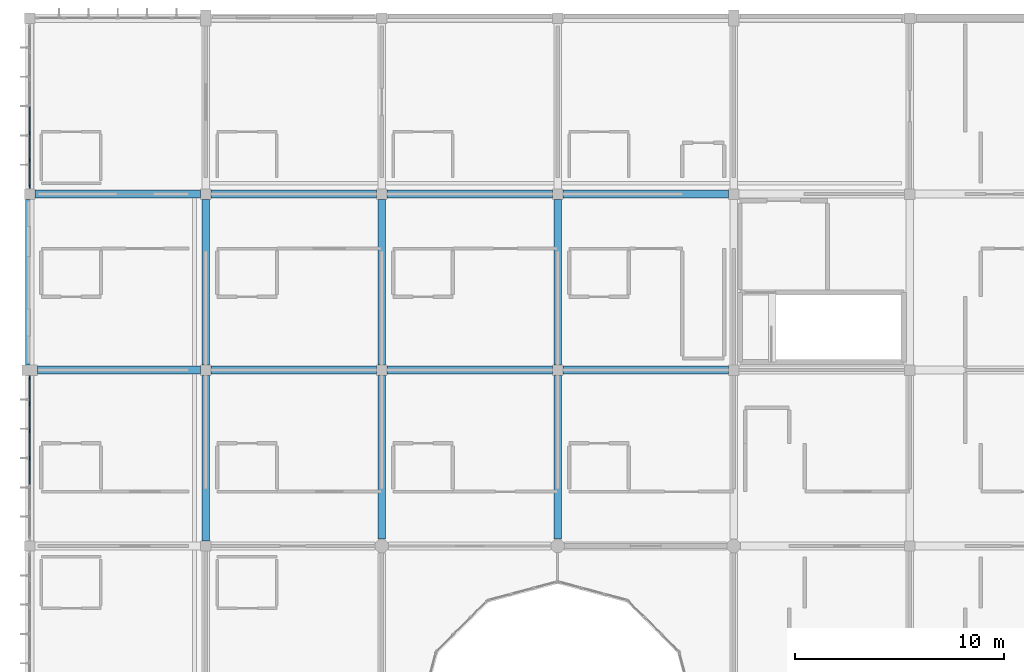
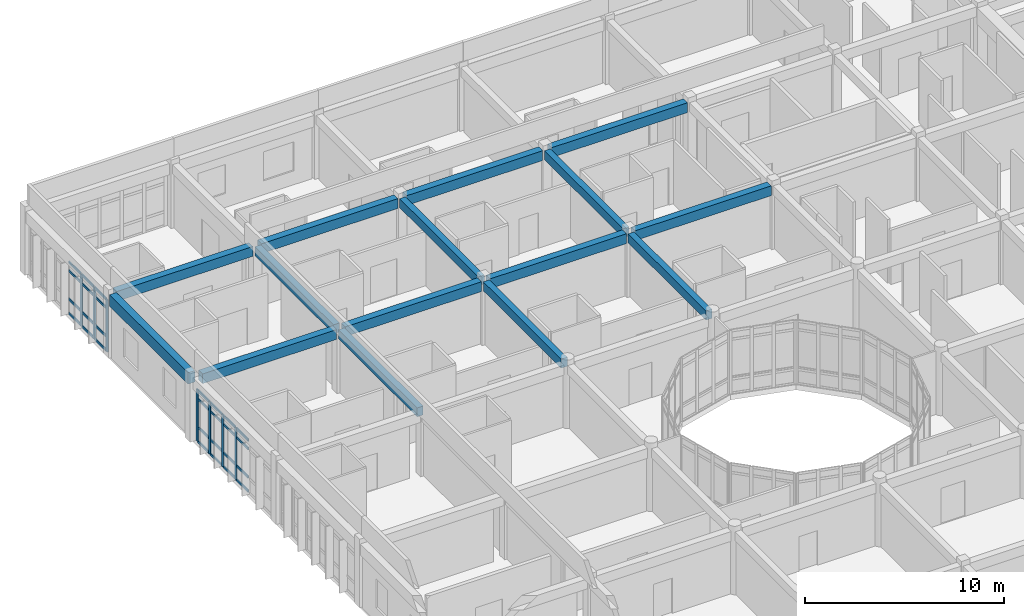
# One storey, part 27 of 119: 35 members, 15 beams, 2 elements without a shape of their own.
"""IFC4 building model written with IfcOpenShell, lengths in metres."""

from ifc_helpers import new_model, si_unit, direction, frame, origin, origin_2d, place, context, subcontext, project, spatial, rectangle, extrude, material, layer, layer_set, material_profile, profile_set, type_object, element, aggregate, save


model = new_model("IFC4")

# Units and contexts
model_context = context("Model", 3, precision=1e-05, world=origin(), true_north=direction((0.0, 1.0)))
body_context = subcontext(model_context, "Body", "Model", "MODEL_VIEW")
ifc_project = project(units=[si_unit("LENGTHUNIT", "METRE"), si_unit("AREAUNIT", "SQUARE_METRE"), si_unit("VOLUMEUNIT", "CUBIC_METRE"), si_unit("PLANEANGLEUNIT", "RADIAN"), si_unit("MASSUNIT", "GRAM", prefix="KILO")], contexts=[model_context])

# Site, building, storey
site_placement = place(None, origin())
site = spatial("IfcSite", under=ifc_project, at=site_placement, CompositionType="ELEMENT")
building_placement = place(site_placement, origin())
building = spatial("IfcBuilding", under=site, at=building_placement, Name="Bramfleet General Hospital", CompositionType="ELEMENT")
storey_placement = place(building_placement, frame((0.0, 0.0, 14.39990234375)))
storey = spatial("IfcBuildingStorey", under=building, at=storey_placement, Name="L03", CompositionType="ELEMENT", Elevation=14.39990234375)

# Beams
ifc_material_1 = material(Name="Concrete C35/45", Category="concrete")
ifc_material_profile_1 = material_profile(ifc_material_1, rectangle(XDim=0.35009765625, YDim=0.550048828125, at=origin_2d()), Name="RC BM 550x350")
ifc_profile_set_1 = profile_set([ifc_material_profile_1], Name="Concrete C35/45")
beam_type_1 = type_object("IfcBeamType", Name="BM-RC550", PredefinedType="BEAM", material=ifc_profile_set_1)
beam_1_placement = place(storey_placement, frame((8.39990234375, 92.64990234375, 3.614990234375), z_axis=(0.0, 1.0, 0.0), x_axis=(-1.0, 0.0, 0.0)))
element("IfcBeam", 1, at=beam_1_placement, inside=storey, type_object=beam_type_1, Name="L03 Grid Beam Y 01-11", PredefinedType="BEAM", context=body_context, shape_type="SweptSolid", body=[
    extrude(rectangle(XDim=0.35009765625, YDim=0.550048828125, at=origin_2d()), origin(), (0.0, 0.0, 1.0), 7.900146484375),
])
beam_2_placement = place(storey_placement, frame((8.39990234375, 101.050048828125, 3.614990234375), z_axis=(0.0, 1.0, 0.0), x_axis=(-1.0, 0.0, 0.0)))
element("IfcBeam", 2, at=beam_2_placement, inside=storey, type_object=beam_type_1, Name="L03 Grid Beam Y 01-12", PredefinedType="BEAM", context=body_context, shape_type="SweptSolid", body=[
    extrude(rectangle(XDim=0.35009765625, YDim=0.550048828125, at=origin_2d()), origin(), (0.0, 0.0, 1.0), 7.89990234375),
])
beam_3_placement = place(storey_placement, frame((16.800048828125, 92.72509765625, 3.614990234375), z_axis=(0.0, 1.0, 0.0), x_axis=(-1.0, 0.0, 0.0)))
element("IfcBeam", 3, at=beam_3_placement, inside=storey, type_object=beam_type_1, Name="L03 Grid Beam Y 02-11", PredefinedType="BEAM", context=body_context, shape_type="SweptSolid", body=[
    extrude(rectangle(XDim=0.35009765625, YDim=0.550048828125, at=origin_2d()), origin(), (0.0, 0.0, 1.0), 7.824951171875),
])
beam_4_placement = place(storey_placement, frame((16.800048828125, 101.050048828125, 3.614990234375), z_axis=(0.0, 1.0, 0.0), x_axis=(-1.0, 0.0, 0.0)))
element("IfcBeam", 4, at=beam_4_placement, inside=storey, type_object=beam_type_1, Name="L03 Grid Beam Y 02-12", PredefinedType="BEAM", context=body_context, shape_type="SweptSolid", body=[
    extrude(rectangle(XDim=0.35009765625, YDim=0.550048828125, at=origin_2d()), origin(), (0.0, 0.0, 1.0), 7.89990234375),
])
beam_5_placement = place(storey_placement, frame((25.199951171875, 92.72509765625, 3.614990234375), z_axis=(0.0, 1.0, 0.0), x_axis=(-1.0, 0.0, 0.0)))
element("IfcBeam", 5, at=beam_5_placement, inside=storey, type_object=beam_type_1, Name="L03 Grid Beam Y 03-11", PredefinedType="BEAM", context=body_context, shape_type="SweptSolid", body=[
    extrude(rectangle(XDim=0.35009765625, YDim=0.550048828125, at=origin_2d()), origin(), (0.0, 0.0, 1.0), 7.824951171875),
])
beam_6_placement = place(storey_placement, frame((25.199951171875, 101.050048828125, 3.614990234375), z_axis=(0.0, 1.0, 0.0), x_axis=(-1.0, 0.0, 0.0)))
element("IfcBeam", 6, at=beam_6_placement, inside=storey, type_object=beam_type_1, Name="L03 Grid Beam Y 03-12", PredefinedType="BEAM", context=body_context, shape_type="SweptSolid", body=[
    extrude(rectangle(XDim=0.35009765625, YDim=0.550048828125, at=origin_2d()), origin(), (0.0, 0.0, 1.0), 7.89990234375),
])
ifc_material_profile_2 = material_profile(ifc_material_1, rectangle(XDim=0.39990234375, YDim=0.60009765625, at=origin_2d()), Name="RC BM 600x400")
ifc_profile_set_2 = profile_set([ifc_material_profile_2], Name="Concrete C35/45")
beam_type_2 = type_object("IfcBeamType", Name="BM-RC600", PredefinedType="BEAM", material=ifc_profile_set_2)
beam_7_placement = place(storey_placement, frame((0.375, 100.800048828125, 3.60009765625), z_axis=(1.0, 0.0, 0.0), x_axis=(0.0, 1.0, 0.0)))
element("IfcBeam", 7, at=beam_7_placement, inside=storey, type_object=beam_type_2, Name="L03 Grid Beam X 00-12", PredefinedType="BEAM", context=body_context, shape_type="SweptSolid", body=[
    extrude(rectangle(XDim=0.39990234375, YDim=0.60009765625, at=origin_2d()), origin(), (0.0, 0.0, 1.0), 7.77490234375),
])
beam_8_placement = place(storey_placement, frame((0.25, 109.199951171875, 3.60009765625), z_axis=(1.0, 0.0, 0.0), x_axis=(0.0, 1.0, 0.0)))
element("IfcBeam", 8, at=beam_8_placement, inside=storey, type_object=beam_type_2, Name="L03 Grid Beam X 00-13", PredefinedType="BEAM", context=body_context, shape_type="SweptSolid", body=[
    extrude(rectangle(XDim=0.39990234375, YDim=0.60009765625, at=origin_2d()), origin(), (0.0, 0.0, 1.0), 7.89990234375),
])
for number, where, z_axis, x_axis, name in (
    (9, (8.64990234375, 100.800048828125, 3.590087890625), (1.0, 0.0, 0.0), (0.0, 1.0, 0.0), "L03 Grid Beam X 01-12"),
    (10, (8.64990234375, 109.199951171875, 3.590087890625), (1.0, 0.0, 0.0), (0.0, 1.0, 0.0), "L03 Grid Beam X 01-13"),
):
    element("IfcBeam", number, at=place(storey_placement, frame(where, z_axis=z_axis, x_axis=x_axis)), inside=storey, type_object=beam_type_2, Name=name, PredefinedType="BEAM", context=body_context, shape_type="SweptSolid", body=[
        extrude(rectangle(XDim=0.39990234375, YDim=0.60009765625, at=origin_2d()), origin(), (0.0, 0.0, 1.0), 7.900146484375),
    ])
for number, where, z_axis, x_axis, name in (
    (11, (17.050048828125, 100.800048828125, 3.590087890625), (1.0, 0.0, 0.0), (0.0, 1.0, 0.0), "L03 Grid Beam X 02-12"),
    (12, (17.050048828125, 109.199951171875, 3.590087890625), (1.0, 0.0, 0.0), (0.0, 1.0, 0.0), "L03 Grid Beam X 02-13"),
):
    element("IfcBeam", number, at=place(storey_placement, frame(where, z_axis=z_axis, x_axis=x_axis)), inside=storey, type_object=beam_type_2, Name=name, PredefinedType="BEAM", context=body_context, shape_type="SweptSolid", body=[
        extrude(rectangle(XDim=0.39990234375, YDim=0.60009765625, at=origin_2d()), origin(), (0.0, 0.0, 1.0), 7.89990234375),
    ])
for number, where, z_axis, x_axis, name in (
    (13, (25.449951171875, 100.800048828125, 3.590087890625), (1.0, 0.0, 0.0), (0.0, 1.0, 0.0), "L03 Grid Beam X 03-12"),
    (14, (25.449951171875, 109.199951171875, 3.590087890625), (1.0, 0.0, 0.0), (0.0, 1.0, 0.0), "L03 Grid Beam X 03-13"),
):
    element("IfcBeam", number, at=place(storey_placement, frame(where, z_axis=z_axis, x_axis=x_axis)), inside=storey, type_object=beam_type_2, Name=name, PredefinedType="BEAM", context=body_context, shape_type="SweptSolid", body=[
        extrude(rectangle(XDim=0.39990234375, YDim=0.60009765625, at=origin_2d()), origin(), (0.0, 0.0, 1.0), 7.900146484375),
    ])
ifc_material_profile_3 = material_profile(ifc_material_1, rectangle(XDim=0.39990234375, YDim=0.699951171875, at=origin_2d()), Name="RC SP 700x400")
ifc_profile_set_3 = profile_set([ifc_material_profile_3], Name="Concrete C35/45")
beam_type_3 = type_object("IfcBeamType", Name="BM-SP700", PredefinedType="SPANDREL", material=ifc_profile_set_3)
beam_9_placement = place(storey_placement, frame((0.0, 101.050048828125, 3.550048828125), z_axis=(0.0, 1.0, 0.0), x_axis=(-1.0, 0.0, 0.0)))
element("IfcBeam", 15, at=beam_9_placement, inside=storey, type_object=beam_type_3, Name="L03 Grid Beam Y 00-12", PredefinedType="SPANDREL", context=body_context, shape_type="SweptSolid", body=[
    extrude(rectangle(XDim=0.39990234375, YDim=0.699951171875, at=origin_2d()), origin(), (0.0, 0.0, 1.0), 7.89990234375),
])

# Curtain wall, members
ifc_material_2 = material(Name="Anodised aluminium and low-E triple glazing", Category="aluminium")
ifc_layer_1 = layer(ifc_material_2, 0.179931640625, Name="CWT-CW-18")
ifc_layer_set_1 = layer_set([ifc_layer_1], Name="Anodised aluminium and low-E triple glazing")
curtain_wall_type_1 = type_object("IfcCurtainWallType", Name="CWT-CW-18", PredefinedType="USERDEFINED", material=ifc_layer_set_1)
curtain_wall_1_placement = place(storey_placement, origin())
curtain_wall_1 = element("IfcCurtainWall", 16, at=curtain_wall_1_placement, inside=storey, type_object=curtain_wall_type_1, Name="L03 Curtain Wall 144", ObjectType="Stick curtain wall", PredefinedType="USERDEFINED")
ifc_material_3 = material(Name="Structural timber GL28h", Category="wood")
ifc_material_profile_4 = material_profile(ifc_material_3, rectangle(XDim=0.070068359375, YDim=0.18994140625, at=origin_2d()), Name="LARCH 190x70")
ifc_profile_set_4 = profile_set([ifc_material_profile_4], Name="Structural timber GL28h")
member_type_1 = type_object("IfcMemberType", Name="CWM-LARCH450", PredefinedType="MULLION", material=ifc_profile_set_4)
member_1_placement = place(storey_placement, frame((0.0, 96.60009765625, 0.0), z_axis=(0.0, 0.0, 1.0), x_axis=(-1.0, 0.0, 0.0)))
member_1 = element("IfcMember", 17, at=member_1_placement, type_object=member_type_1, Name="CW-18 mullion 4", PredefinedType="MULLION", context=body_context, shape_type="SweptSolid", body=[
    extrude(rectangle(XDim=0.070068359375, YDim=0.18994140625, at=origin_2d()), origin(), (0.0, 0.0, 1.0), 3.190185546875),
])
member_2_placement = place(storey_placement, frame((0.0, 97.8916015625, 0.0), z_axis=(0.0, 0.0, 1.0), x_axis=(-1.0, 0.0, 0.0)))
member_2 = element("IfcMember", 18, at=member_2_placement, type_object=member_type_1, Name="CW-18 mullion 5", PredefinedType="MULLION", context=body_context, shape_type="SweptSolid", body=[
    extrude(rectangle(XDim=0.070068359375, YDim=0.18994140625, at=origin_2d()), origin(), (0.0, 0.0, 1.0), 3.190185546875),
])
member_3_placement = place(storey_placement, frame((0.0, 99.183349609375, 0.0), z_axis=(0.0, 0.0, 1.0), x_axis=(-1.0, 0.0, 0.0)))
member_3 = element("IfcMember", 19, at=member_3_placement, type_object=member_type_1, Name="CW-18 mullion 6", PredefinedType="MULLION", context=body_context, shape_type="SweptSolid", body=[
    extrude(rectangle(XDim=0.070068359375, YDim=0.18994140625, at=origin_2d()), origin(), (0.0, 0.0, 1.0), 3.190185546875),
])
member_4_placement = place(storey_placement, frame((0.0, 100.43994140625, 0.0), z_axis=(0.0, 0.0, 1.0), x_axis=(-1.0, 0.0, 0.0)))
member_4 = element("IfcMember", 20, at=member_4_placement, type_object=member_type_1, Name="CW-18 mullion 7", PredefinedType="MULLION", context=body_context, shape_type="SweptSolid", body=[
    extrude(rectangle(XDim=0.070068359375, YDim=0.18994140625, at=origin_2d()), origin(), (0.0, 0.0, 1.0), 3.190185546875),
])

ifc_layer_2 = layer(ifc_material_2, 0.179931640625, Name="CWT-CW-01")
ifc_layer_set_2 = layer_set([ifc_layer_2], Name="Anodised aluminium and low-E triple glazing")
curtain_wall_type_2 = type_object("IfcCurtainWallType", Name="CWT-CW-01", PredefinedType="USERDEFINED", material=ifc_layer_set_2)
curtain_wall_2_placement = place(storey_placement, origin())
curtain_wall_2 = element("IfcCurtainWall", 21, at=curtain_wall_2_placement, inside=storey, type_object=curtain_wall_type_2, Name="L03 Curtain Wall 145", ObjectType="Unitised curtain wall", PredefinedType="USERDEFINED")
member_5_placement = place(storey_placement, frame((0.0, 109.56005859375, 0.0), z_axis=(0.0, 0.0, 1.0), x_axis=(-1.0, 0.0, 0.0)))
member_5 = element("IfcMember", 22, at=member_5_placement, type_object=member_type_1, Name="CW-01 mullion 1", PredefinedType="MULLION", context=body_context, shape_type="SweptSolid", body=[
    extrude(rectangle(XDim=0.070068359375, YDim=0.18994140625, at=origin_2d()), origin(), (0.0, 0.0, 1.0), 3.190185546875),
])
member_6_placement = place(storey_placement, frame((0.0, 110.816650390625, 0.0), z_axis=(0.0, 0.0, 1.0), x_axis=(-1.0, 0.0, 0.0)))
member_6 = element("IfcMember", 23, at=member_6_placement, type_object=member_type_1, Name="CW-01 mullion 2", PredefinedType="MULLION", context=body_context, shape_type="SweptSolid", body=[
    extrude(rectangle(XDim=0.070068359375, YDim=0.18994140625, at=origin_2d()), origin(), (0.0, 0.0, 1.0), 3.190185546875),
])
member_7_placement = place(storey_placement, frame((0.0, 112.1083984375, 0.0), z_axis=(0.0, 0.0, 1.0), x_axis=(-1.0, 0.0, 0.0)))
member_7 = element("IfcMember", 24, at=member_7_placement, type_object=member_type_1, Name="CW-01 mullion 3", PredefinedType="MULLION", context=body_context, shape_type="SweptSolid", body=[
    extrude(rectangle(XDim=0.070068359375, YDim=0.18994140625, at=origin_2d()), origin(), (0.0, 0.0, 1.0), 3.190185546875),
])

# Member
ifc_material_profile_5 = material_profile(ifc_material_3, rectangle(XDim=0.06494140625, YDim=0.14990234375, at=origin_2d()), Name="LARCH 150x65")
ifc_profile_set_5 = profile_set([ifc_material_profile_5], Name="Structural timber GL28h")
member_type_2 = type_object("IfcMemberType", Name="CWT-LARCH220", PredefinedType="USERDEFINED", material=ifc_profile_set_5)
member_8_placement = place(storey_placement, frame((0.0, 95.34326171875, 0.03271484375), z_axis=(0.0, 1.0, 0.0), x_axis=(-1.0, 0.0, 0.0)))
member_8 = element("IfcMember", 25, at=member_8_placement, type_object=member_type_2, Name="CW-18 transom 3.1", ObjectType="TRANSOM", PredefinedType="USERDEFINED", context=body_context, shape_type="SweptSolid", body=[
    extrude(rectangle(XDim=0.06494140625, YDim=0.14990234375, at=origin_2d()), origin(), (0.0, 0.0, 1.0), 1.2216796875),
])

member_9_placement = place(storey_placement, frame((0.0, 95.34326171875, 0.900146484375), z_axis=(0.0, 1.0, 0.0), x_axis=(-1.0, 0.0, 0.0)))
member_9 = element("IfcMember", 26, at=member_9_placement, type_object=member_type_2, Name="CW-18 transom 3.2", ObjectType="TRANSOM", PredefinedType="USERDEFINED", context=body_context, shape_type="SweptSolid", body=[
    extrude(rectangle(XDim=0.06494140625, YDim=0.14990234375, at=origin_2d()), origin(), (0.0, 0.0, 1.0), 1.2216796875),
])

member_10_placement = place(storey_placement, frame((0.0, 95.34326171875, 2.64013671875), z_axis=(0.0, 1.0, 0.0), x_axis=(-1.0, 0.0, 0.0)))
member_10 = element("IfcMember", 27, at=member_10_placement, type_object=member_type_2, Name="CW-18 transom 3.3", ObjectType="TRANSOM", PredefinedType="USERDEFINED", context=body_context, shape_type="SweptSolid", body=[
    extrude(rectangle(XDim=0.06494140625, YDim=0.14990234375, at=origin_2d()), origin(), (0.0, 0.0, 1.0), 1.2216796875),
])

member_11_placement = place(storey_placement, frame((0.0, 95.34326171875, 3.15771484375), z_axis=(0.0, 1.0, 0.0), x_axis=(-1.0, 0.0, 0.0)))
member_11 = element("IfcMember", 28, at=member_11_placement, type_object=member_type_2, Name="CW-18 transom 3.4", ObjectType="TRANSOM", PredefinedType="USERDEFINED", context=body_context, shape_type="SweptSolid", body=[
    extrude(rectangle(XDim=0.06494140625, YDim=0.14990234375, at=origin_2d()), origin(), (0.0, 0.0, 1.0), 1.2216796875),
])

member_12_placement = place(storey_placement, frame((0.0, 96.635009765625, 0.03271484375), z_axis=(0.0, 1.0, 0.0), x_axis=(-1.0, 0.0, 0.0)))
member_12 = element("IfcMember", 29, at=member_12_placement, type_object=member_type_2, Name="CW-18 transom 4.1", ObjectType="TRANSOM", PredefinedType="USERDEFINED", context=body_context, shape_type="SweptSolid", body=[
    extrude(rectangle(XDim=0.06494140625, YDim=0.14990234375, at=origin_2d()), origin(), (0.0, 0.0, 1.0), 1.2216796875),
])

member_13_placement = place(storey_placement, frame((0.0, 96.635009765625, 0.900146484375), z_axis=(0.0, 1.0, 0.0), x_axis=(-1.0, 0.0, 0.0)))
member_13 = element("IfcMember", 30, at=member_13_placement, type_object=member_type_2, Name="CW-18 transom 4.2", ObjectType="TRANSOM", PredefinedType="USERDEFINED", context=body_context, shape_type="SweptSolid", body=[
    extrude(rectangle(XDim=0.06494140625, YDim=0.14990234375, at=origin_2d()), origin(), (0.0, 0.0, 1.0), 1.2216796875),
])

member_14_placement = place(storey_placement, frame((0.0, 96.635009765625, 2.64013671875), z_axis=(0.0, 1.0, 0.0), x_axis=(-1.0, 0.0, 0.0)))
member_14 = element("IfcMember", 31, at=member_14_placement, type_object=member_type_2, Name="CW-18 transom 4.3", ObjectType="TRANSOM", PredefinedType="USERDEFINED", context=body_context, shape_type="SweptSolid", body=[
    extrude(rectangle(XDim=0.06494140625, YDim=0.14990234375, at=origin_2d()), origin(), (0.0, 0.0, 1.0), 1.2216796875),
])

member_15_placement = place(storey_placement, frame((0.0, 96.635009765625, 3.15771484375), z_axis=(0.0, 1.0, 0.0), x_axis=(-1.0, 0.0, 0.0)))
member_15 = element("IfcMember", 32, at=member_15_placement, type_object=member_type_2, Name="CW-18 transom 4.4", ObjectType="TRANSOM", PredefinedType="USERDEFINED", context=body_context, shape_type="SweptSolid", body=[
    extrude(rectangle(XDim=0.06494140625, YDim=0.14990234375, at=origin_2d()), origin(), (0.0, 0.0, 1.0), 1.2216796875),
])

member_16_placement = place(storey_placement, frame((0.0, 97.9267578125, 0.03271484375), z_axis=(0.0, 1.0, 0.0), x_axis=(-1.0, 0.0, 0.0)))
member_16 = element("IfcMember", 33, at=member_16_placement, type_object=member_type_2, Name="CW-18 transom 5.1", ObjectType="TRANSOM", PredefinedType="USERDEFINED", context=body_context, shape_type="SweptSolid", body=[
    extrude(rectangle(XDim=0.06494140625, YDim=0.14990234375, at=origin_2d()), origin(), (0.0, 0.0, 1.0), 1.2216796875),
])

member_17_placement = place(storey_placement, frame((0.0, 97.9267578125, 0.900146484375), z_axis=(0.0, 1.0, 0.0), x_axis=(-1.0, 0.0, 0.0)))
member_17 = element("IfcMember", 34, at=member_17_placement, type_object=member_type_2, Name="CW-18 transom 5.2", ObjectType="TRANSOM", PredefinedType="USERDEFINED", context=body_context, shape_type="SweptSolid", body=[
    extrude(rectangle(XDim=0.06494140625, YDim=0.14990234375, at=origin_2d()), origin(), (0.0, 0.0, 1.0), 1.2216796875),
])

member_18_placement = place(storey_placement, frame((0.0, 97.9267578125, 2.64013671875), z_axis=(0.0, 1.0, 0.0), x_axis=(-1.0, 0.0, 0.0)))
member_18 = element("IfcMember", 35, at=member_18_placement, type_object=member_type_2, Name="CW-18 transom 5.3", ObjectType="TRANSOM", PredefinedType="USERDEFINED", context=body_context, shape_type="SweptSolid", body=[
    extrude(rectangle(XDim=0.06494140625, YDim=0.14990234375, at=origin_2d()), origin(), (0.0, 0.0, 1.0), 1.2216796875),
])

member_19_placement = place(storey_placement, frame((0.0, 97.9267578125, 3.15771484375), z_axis=(0.0, 1.0, 0.0), x_axis=(-1.0, 0.0, 0.0)))
member_19 = element("IfcMember", 36, at=member_19_placement, type_object=member_type_2, Name="CW-18 transom 5.4", ObjectType="TRANSOM", PredefinedType="USERDEFINED", context=body_context, shape_type="SweptSolid", body=[
    extrude(rectangle(XDim=0.06494140625, YDim=0.14990234375, at=origin_2d()), origin(), (0.0, 0.0, 1.0), 1.2216796875),
])

member_20_placement = place(storey_placement, frame((0.0, 99.21826171875, 0.03271484375), z_axis=(0.0, 1.0, 0.0), x_axis=(-1.0, 0.0, 0.0)))
member_20 = element("IfcMember", 37, at=member_20_placement, type_object=member_type_2, Name="CW-18 transom 6.1", ObjectType="TRANSOM", PredefinedType="USERDEFINED", context=body_context, shape_type="SweptSolid", body=[
    extrude(rectangle(XDim=0.06494140625, YDim=0.14990234375, at=origin_2d()), origin(), (0.0, 0.0, 1.0), 1.186767578125),
])

member_21_placement = place(storey_placement, frame((0.0, 99.21826171875, 0.900146484375), z_axis=(0.0, 1.0, 0.0), x_axis=(-1.0, 0.0, 0.0)))
member_21 = element("IfcMember", 38, at=member_21_placement, type_object=member_type_2, Name="CW-18 transom 6.2", ObjectType="TRANSOM", PredefinedType="USERDEFINED", context=body_context, shape_type="SweptSolid", body=[
    extrude(rectangle(XDim=0.06494140625, YDim=0.14990234375, at=origin_2d()), origin(), (0.0, 0.0, 1.0), 1.186767578125),
])

member_22_placement = place(storey_placement, frame((0.0, 99.21826171875, 2.64013671875), z_axis=(0.0, 1.0, 0.0), x_axis=(-1.0, 0.0, 0.0)))
member_22 = element("IfcMember", 39, at=member_22_placement, type_object=member_type_2, Name="CW-18 transom 6.3", ObjectType="TRANSOM", PredefinedType="USERDEFINED", context=body_context, shape_type="SweptSolid", body=[
    extrude(rectangle(XDim=0.06494140625, YDim=0.14990234375, at=origin_2d()), origin(), (0.0, 0.0, 1.0), 1.186767578125),
])

member_23_placement = place(storey_placement, frame((0.0, 99.21826171875, 3.15771484375), z_axis=(0.0, 1.0, 0.0), x_axis=(-1.0, 0.0, 0.0)))
member_23 = element("IfcMember", 40, at=member_23_placement, type_object=member_type_2, Name="CW-18 transom 6.4", ObjectType="TRANSOM", PredefinedType="USERDEFINED", context=body_context, shape_type="SweptSolid", body=[
    extrude(rectangle(XDim=0.06494140625, YDim=0.14990234375, at=origin_2d()), origin(), (0.0, 0.0, 1.0), 1.186767578125),
])

aggregate(curtain_wall_1, [member_1, member_2, member_3, member_4, member_8, member_9, member_10, member_11, member_12, member_13, member_14, member_15, member_16, member_17, member_18, member_19, member_20, member_21, member_22, member_23])

member_24_placement = place(storey_placement, frame((0.0, 109.594970703125, 0.03271484375), z_axis=(0.0, 1.0, 0.0), x_axis=(-1.0, 0.0, 0.0)))
member_24 = element("IfcMember", 41, at=member_24_placement, type_object=member_type_2, Name="CW-01 transom 1.1", ObjectType="TRANSOM", PredefinedType="USERDEFINED", context=body_context, shape_type="SweptSolid", body=[
    extrude(rectangle(XDim=0.06494140625, YDim=0.14990234375, at=origin_2d()), origin(), (0.0, 0.0, 1.0), 1.186767578125),
])

member_25_placement = place(storey_placement, frame((0.0, 109.594970703125, 0.900146484375), z_axis=(0.0, 1.0, 0.0), x_axis=(-1.0, 0.0, 0.0)))
member_25 = element("IfcMember", 42, at=member_25_placement, type_object=member_type_2, Name="CW-01 transom 1.2", ObjectType="TRANSOM", PredefinedType="USERDEFINED", context=body_context, shape_type="SweptSolid", body=[
    extrude(rectangle(XDim=0.06494140625, YDim=0.14990234375, at=origin_2d()), origin(), (0.0, 0.0, 1.0), 1.186767578125),
])

member_26_placement = place(storey_placement, frame((0.0, 109.594970703125, 2.64013671875), z_axis=(0.0, 1.0, 0.0), x_axis=(-1.0, 0.0, 0.0)))
member_26 = element("IfcMember", 43, at=member_26_placement, type_object=member_type_2, Name="CW-01 transom 1.3", ObjectType="TRANSOM", PredefinedType="USERDEFINED", context=body_context, shape_type="SweptSolid", body=[
    extrude(rectangle(XDim=0.06494140625, YDim=0.14990234375, at=origin_2d()), origin(), (0.0, 0.0, 1.0), 1.186767578125),
])

member_27_placement = place(storey_placement, frame((0.0, 109.594970703125, 3.15771484375), z_axis=(0.0, 1.0, 0.0), x_axis=(-1.0, 0.0, 0.0)))
member_27 = element("IfcMember", 44, at=member_27_placement, type_object=member_type_2, Name="CW-01 transom 1.4", ObjectType="TRANSOM", PredefinedType="USERDEFINED", context=body_context, shape_type="SweptSolid", body=[
    extrude(rectangle(XDim=0.06494140625, YDim=0.14990234375, at=origin_2d()), origin(), (0.0, 0.0, 1.0), 1.186767578125),
])

member_28_placement = place(storey_placement, frame((0.0, 110.8515625, 0.03271484375), z_axis=(0.0, 1.0, 0.0), x_axis=(-1.0, 0.0, 0.0)))
member_28 = element("IfcMember", 45, at=member_28_placement, type_object=member_type_2, Name="CW-01 transom 2.1", ObjectType="TRANSOM", PredefinedType="USERDEFINED", context=body_context, shape_type="SweptSolid", body=[
    extrude(rectangle(XDim=0.06494140625, YDim=0.14990234375, at=origin_2d()), origin(), (0.0, 0.0, 1.0), 1.2216796875),
])

member_29_placement = place(storey_placement, frame((0.0, 110.8515625, 0.900146484375), z_axis=(0.0, 1.0, 0.0), x_axis=(-1.0, 0.0, 0.0)))
member_29 = element("IfcMember", 46, at=member_29_placement, type_object=member_type_2, Name="CW-01 transom 2.2", ObjectType="TRANSOM", PredefinedType="USERDEFINED", context=body_context, shape_type="SweptSolid", body=[
    extrude(rectangle(XDim=0.06494140625, YDim=0.14990234375, at=origin_2d()), origin(), (0.0, 0.0, 1.0), 1.2216796875),
])

member_30_placement = place(storey_placement, frame((0.0, 110.8515625, 2.64013671875), z_axis=(0.0, 1.0, 0.0), x_axis=(-1.0, 0.0, 0.0)))
member_30 = element("IfcMember", 47, at=member_30_placement, type_object=member_type_2, Name="CW-01 transom 2.3", ObjectType="TRANSOM", PredefinedType="USERDEFINED", context=body_context, shape_type="SweptSolid", body=[
    extrude(rectangle(XDim=0.06494140625, YDim=0.14990234375, at=origin_2d()), origin(), (0.0, 0.0, 1.0), 1.2216796875),
])

member_31_placement = place(storey_placement, frame((0.0, 110.8515625, 3.15771484375), z_axis=(0.0, 1.0, 0.0), x_axis=(-1.0, 0.0, 0.0)))
member_31 = element("IfcMember", 48, at=member_31_placement, type_object=member_type_2, Name="CW-01 transom 2.4", ObjectType="TRANSOM", PredefinedType="USERDEFINED", context=body_context, shape_type="SweptSolid", body=[
    extrude(rectangle(XDim=0.06494140625, YDim=0.14990234375, at=origin_2d()), origin(), (0.0, 0.0, 1.0), 1.2216796875),
])

member_32_placement = place(storey_placement, frame((0.0, 112.143310546875, 0.03271484375), z_axis=(0.0, 1.0, 0.0), x_axis=(-1.0, 0.0, 0.0)))
member_32 = element("IfcMember", 49, at=member_32_placement, type_object=member_type_2, Name="CW-01 transom 3.1", ObjectType="TRANSOM", PredefinedType="USERDEFINED", context=body_context, shape_type="SweptSolid", body=[
    extrude(rectangle(XDim=0.06494140625, YDim=0.14990234375, at=origin_2d()), origin(), (0.0, 0.0, 1.0), 1.2216796875),
])

member_33_placement = place(storey_placement, frame((0.0, 112.143310546875, 0.900146484375), z_axis=(0.0, 1.0, 0.0), x_axis=(-1.0, 0.0, 0.0)))
member_33 = element("IfcMember", 50, at=member_33_placement, type_object=member_type_2, Name="CW-01 transom 3.2", ObjectType="TRANSOM", PredefinedType="USERDEFINED", context=body_context, shape_type="SweptSolid", body=[
    extrude(rectangle(XDim=0.06494140625, YDim=0.14990234375, at=origin_2d()), origin(), (0.0, 0.0, 1.0), 1.2216796875),
])

member_34_placement = place(storey_placement, frame((0.0, 112.143310546875, 2.64013671875), z_axis=(0.0, 1.0, 0.0), x_axis=(-1.0, 0.0, 0.0)))
member_34 = element("IfcMember", 51, at=member_34_placement, type_object=member_type_2, Name="CW-01 transom 3.3", ObjectType="TRANSOM", PredefinedType="USERDEFINED", context=body_context, shape_type="SweptSolid", body=[
    extrude(rectangle(XDim=0.06494140625, YDim=0.14990234375, at=origin_2d()), origin(), (0.0, 0.0, 1.0), 1.2216796875),
])

member_35_placement = place(storey_placement, frame((0.0, 112.143310546875, 3.15771484375), z_axis=(0.0, 1.0, 0.0), x_axis=(-1.0, 0.0, 0.0)))
member_35 = element("IfcMember", 52, at=member_35_placement, type_object=member_type_2, Name="CW-01 transom 3.4", ObjectType="TRANSOM", PredefinedType="USERDEFINED", context=body_context, shape_type="SweptSolid", body=[
    extrude(rectangle(XDim=0.06494140625, YDim=0.14990234375, at=origin_2d()), origin(), (0.0, 0.0, 1.0), 1.2216796875),
])

aggregate(curtain_wall_2, [member_5, member_6, member_7, member_24, member_25, member_26, member_27, member_28, member_29, member_30, member_31, member_32, member_33, member_34, member_35])

save(model, "model.ifc")
